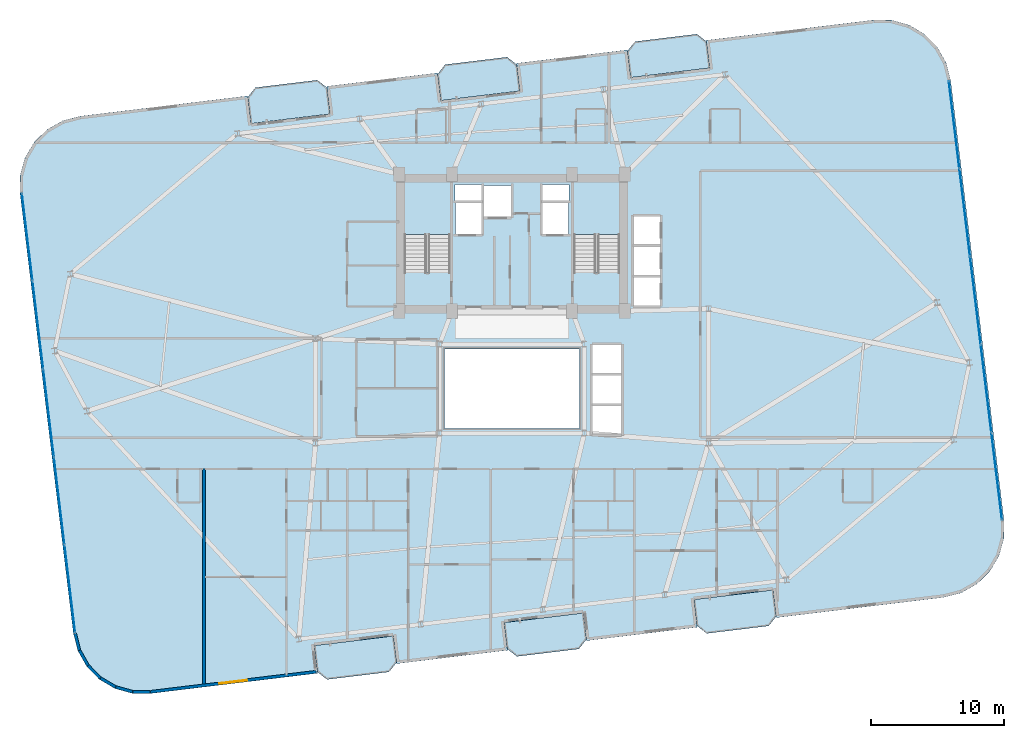
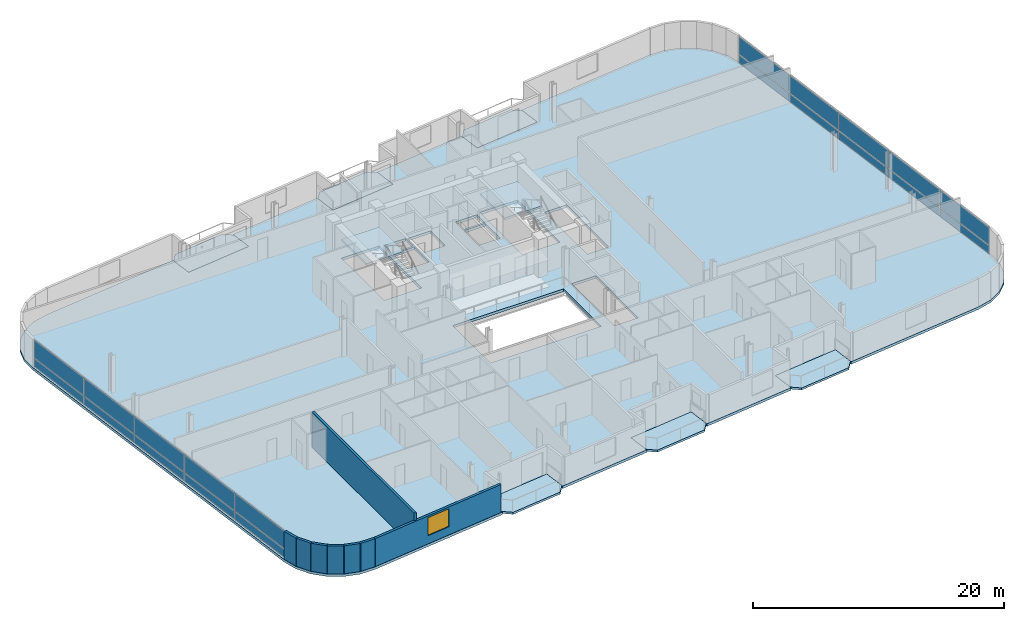
# One storey, part 13 of 23: 20 plates, 9 slabs, 8 walls, 1 window, 1 opening, 4 elements without a shape of their own.
"""IFC4 building model written with IfcOpenShell, lengths in metres."""

from ifc_helpers import new_model, si_unit, direction, frame, frame_2d, origin, origin_2d, place, context, subcontext, project, spatial, polyline, rectangle, outline, extrude, source, transform, mapped, material, layer, layer_set, type_object, element, fill, aggregate, save


model = new_model("IFC4")

# Units and contexts
model_context = context("Model", 3, precision=1e-05, world=origin(), true_north=direction((0.0, 1.0)))
body_context = subcontext(model_context, "Body", "Model", "MODEL_VIEW")
ifc_project = project(units=[si_unit("LENGTHUNIT", "METRE"), si_unit("AREAUNIT", "SQUARE_METRE"), si_unit("VOLUMEUNIT", "CUBIC_METRE"), si_unit("PLANEANGLEUNIT", "RADIAN"), si_unit("MASSUNIT", "GRAM", prefix="KILO")], contexts=[model_context])

# Site, building, storey
site_placement = place(None, origin())
site = spatial("IfcSite", under=ifc_project, at=site_placement, CompositionType="ELEMENT")
building_placement = place(site_placement, origin())
building = spatial("IfcBuilding", under=site, at=building_placement, Name="Varnelok Gate Tower", CompositionType="ELEMENT")
storey_placement = place(building_placement, frame((0.0, 0.0, 174.60009765625)))
storey = spatial("IfcBuildingStorey", under=building, at=storey_placement, Name="L44", CompositionType="ELEMENT", Elevation=174.60009765625)

# Slabs
ifc_material_1 = material(Name="Concrete C45/55", Category="concrete")
ifc_layer_1 = layer(ifc_material_1, 0.199951171875)
ifc_layer_set_1 = layer_set([ifc_layer_1], Name="Concrete C45/55")
slab_type_1 = type_object("IfcSlabType", Name="SLB-BALC-200", PredefinedType="FLOOR", material=ifc_layer_set_1)
slab_1_placement = place(storey_placement, frame((0.0, 0.0, -0.2001953125)))
element("IfcSlab", 1, at=slab_1_placement, inside=storey, type_object=slab_type_1, Name="L44 South Hollow Balcony 1", PredefinedType="FLOOR", context=body_context, shape_type="SweptSolid", body=[
    extrude(outline(polyline([(24.550048828125, 1.564453125), (25.2734375, 0.997314453125), (29.939208984375, 1.56298828125), (30.50634765625, 2.28662109375), (30.265625, 4.27197265625), (24.309326171875, 3.5498046875), (24.550048828125, 1.564453125)])), origin(), (0.0, 0.0, 1.0), 0.2001953125),
])
slab_2_placement = place(storey_placement, frame((0.0, 0.0, -0.2001953125)))
element("IfcSlab", 2, at=slab_2_placement, inside=storey, type_object=slab_type_1, Name="L44 South Hollow Balcony 2", PredefinedType="FLOOR", context=body_context, shape_type="SweptSolid", body=[
    extrude(outline(polyline([(38.84521484375, 3.29736328125), (39.56884765625, 2.73046875), (44.234619140625, 3.2958984375), (44.8017578125, 4.01953125), (44.56103515625, 6.0048828125), (38.6044921875, 5.282958984375), (38.84521484375, 3.29736328125)])), origin(), (0.0, 0.0, 1.0), 0.2001953125),
])
slab_3_placement = place(storey_placement, frame((0.0, 0.0, -0.2001953125)))
element("IfcSlab", 3, at=slab_3_placement, inside=storey, type_object=slab_type_1, Name="L44 South Hollow Balcony 3", PredefinedType="FLOOR", context=body_context, shape_type="SweptSolid", body=[
    extrude(outline(polyline([(53.140625, 5.030517578125), (53.8642578125, 4.46337890625), (58.530029296875, 5.02880859375), (59.09716796875, 5.75244140625), (58.8564453125, 7.73779296875), (52.89990234375, 7.015869140625), (53.140625, 5.030517578125)])), origin(), (0.0, 0.0, 1.0), 0.2001953125),
])
slab_4_placement = place(storey_placement, frame((0.0, 0.0, -0.2001953125)))
element("IfcSlab", 4, at=slab_4_placement, inside=storey, type_object=slab_type_1, Name="L44 North Hollow Balcony 1", PredefinedType="FLOOR", context=body_context, shape_type="SweptSolid", body=[
    extrude(outline(polyline([(19.543701171875, 42.862060546875), (25.5, 43.584228515625), (25.25927734375, 45.569580078125), (24.535888671875, 46.13671875), (19.8701171875, 45.571044921875), (19.302978515625, 44.84765625), (19.543701171875, 42.862060546875)])), origin(), (0.0, 0.0, 1.0), 0.2001953125),
])
slab_5_placement = place(storey_placement, frame((0.0, 0.0, -0.2001953125)))
element("IfcSlab", 5, at=slab_5_placement, inside=storey, type_object=slab_type_1, Name="L44 North Hollow Balcony 2", PredefinedType="FLOOR", context=body_context, shape_type="SweptSolid", body=[
    extrude(outline(polyline([(33.839111328125, 44.59521484375), (39.79541015625, 45.317138671875), (39.5546875, 47.302490234375), (38.831298828125, 47.86962890625), (34.165283203125, 47.303955078125), (33.598388671875, 46.58056640625), (33.839111328125, 44.59521484375)])), origin(), (0.0, 0.0, 1.0), 0.2001953125),
])
slab_6_placement = place(storey_placement, frame((0.0, 0.0, -0.2001953125)))
element("IfcSlab", 6, at=slab_6_placement, inside=storey, type_object=slab_type_1, Name="L44 North Hollow Balcony 3", PredefinedType="FLOOR", context=body_context, shape_type="SweptSolid", body=[
    extrude(outline(polyline([(48.13427734375, 46.327880859375), (54.0908203125, 47.050048828125), (53.85009765625, 49.03564453125), (53.12646484375, 49.6025390625), (48.460693359375, 49.037109375), (47.8935546875, 48.3134765625), (48.13427734375, 46.327880859375)])), origin(), (0.0, 0.0, 1.0), 0.2001953125),
])

# Stair, slab
ifc_material_2 = material(Name="Concrete C50/60", Category="concrete")
stair_type = type_object("IfcStairType", Name="STR-CORE-1650", PredefinedType="HALF_TURN_STAIR", material=ifc_material_2)
stair_1_placement = place(storey_placement, origin())
stair_1 = element("IfcStair", 7, at=stair_1_placement, inside=storey, type_object=stair_type, Name="L44 Exit Stair ST-1", PredefinedType="HALF_TURN_STAIR")
ifc_layer_2 = layer(ifc_material_1, 0.199951171875)
ifc_layer_set_2 = layer_set([ifc_layer_2], Name="Concrete C45/55")
slab_type_2 = type_object("IfcSlabType", Name="SLB-LAND-200", PredefinedType="LANDING", material=ifc_layer_set_2)
slab_7_placement = place(storey_placement, frame((0.0, 0.0, 1.64990234375)))
slab_7 = element("IfcSlab", 8, at=slab_7_placement, type_object=slab_type_2, Name="ST-1 landing 1", PredefinedType="LANDING", context=body_context, shape_type="SweptSolid", body=[
    extrude(outline(polyline([(34.550048828125, 34.5), (34.550048828125, 38.449951171875), (31.10009765625, 38.449951171875), (31.10009765625, 34.5), (34.550048828125, 34.5)])), origin(), (0.0, 0.0, 1.0), 0.199951171875),
])
aggregate(stair_1, [slab_7])

stair_2_placement = place(storey_placement, origin())
stair_2 = element("IfcStair", 9, at=stair_2_placement, inside=storey, type_object=stair_type, Name="L44 Exit Stair ST-2", PredefinedType="HALF_TURN_STAIR")
slab_8_placement = place(storey_placement, frame((0.0, 0.0, 1.64990234375)))
slab_8 = element("IfcSlab", 10, at=slab_8_placement, type_object=slab_type_2, Name="ST-2 landing 1", PredefinedType="LANDING", context=body_context, shape_type="SweptSolid", body=[
    extrude(outline(polyline([(47.300048828125, 34.5), (47.300048828125, 38.449951171875), (43.85009765625, 38.449951171875), (43.85009765625, 34.5), (47.300048828125, 34.5)])), origin(), (0.0, 0.0, 1.0), 0.199951171875),
])
aggregate(stair_2, [slab_8])

# Slab
ifc_layer_3 = layer(ifc_material_2, 0.25)
ifc_layer_set_3 = layer_set([ifc_layer_3], Name="Concrete C50/60")
slab_type_3 = type_object("IfcSlabType", Name="SLB-TYP-250", PredefinedType="FLOOR", material=ifc_layer_set_3)
slab_9_placement = place(storey_placement, frame((0.0, 0.0, -0.25)))
element("IfcSlab", 11, at=slab_9_placement, inside=storey, type_object=slab_type_3, Name="L44 Structural Floor Slab", PredefinedType="FLOOR", context=body_context, shape_type="SweptSolid", body=[
    extrude(outline(polyline([(6.166259765625, 4.47314453125), (6.504150390625, 3.158447265625), (7.1708984375, 1.975830078125), (8.120849609375, 1.006103515625), (9.289306640625, 0.3154296875), (10.596923828125, -0.04931640625), (11.954345703125, -0.063232421875), (22.87451171875, 1.260498046875), (24.56201171875, 1.465087890625), (24.309326171875, 3.5498046875), (30.265625, 4.27197265625), (30.518310546875, 2.187255859375), (38.857421875, 3.197998046875), (38.6044921875, 5.282958984375), (44.56103515625, 6.0048828125), (44.813720703125, 3.920166015625), (53.152587890625, 4.93115234375), (52.89990234375, 7.015869140625), (58.8564453125, 7.73779296875), (59.109130859375, 5.6533203125), (60.796630859375, 5.85791015625), (71.716796875, 7.181396484375), (73.031494140625, 7.519287109375), (74.214111328125, 8.18603515625), (75.183837890625, 9.135986328125), (75.87451171875, 10.3046875), (76.2392578125, 11.612060546875), (76.253173828125, 12.969482421875), (72.233642578125, 46.126708984375), (71.895751953125, 47.441650390625), (71.229248046875, 48.6240234375), (70.279296875, 49.59375), (69.110595703125, 50.284423828125), (67.802978515625, 50.6494140625), (66.44580078125, 50.6630859375), (55.525634765625, 49.33935546875), (53.837890625, 49.134765625), (54.0908203125, 47.050048828125), (48.13427734375, 46.327880859375), (47.881591796875, 48.412841796875), (39.54248046875, 47.40185546875), (39.79541015625, 45.317138671875), (33.839111328125, 44.59521484375), (33.586181640625, 46.6796875), (25.247314453125, 45.6689453125), (25.5, 43.584228515625), (19.543701171875, 42.862060546875), (19.291015625, 44.94677734375), (17.603271484375, 44.7421875), (6.68310546875, 43.41845703125), (5.368408203125, 43.08056640625), (4.18603515625, 42.413818359375), (3.21630859375, 41.464111328125), (2.525390625, 40.29541015625), (2.16064453125, 38.98779296875), (2.146728515625, 37.630615234375), (6.166259765625, 4.47314453125)]), holes=[polyline([(34.550048828125, 31.679931640625), (34.550048828125, 38.449951171875), (31.10009765625, 38.449951171875), (31.10009765625, 31.679931640625), (34.550048828125, 31.679931640625)]), polyline([(47.300048828125, 31.679931640625), (47.300048828125, 38.449951171875), (43.85009765625, 38.449951171875), (43.85009765625, 31.679931640625), (47.300048828125, 31.679931640625)]), polyline([(34.949951171875, 34.550048828125), (36.89990234375, 34.550048828125), (36.89990234375, 36.89990234375), (34.949951171875, 36.89990234375), (34.949951171875, 34.550048828125)]), polyline([(41.5, 34.550048828125), (43.449951171875, 34.550048828125), (43.449951171875, 36.89990234375), (41.5, 36.89990234375), (41.5, 34.550048828125)]), polyline([(37.050048828125, 35.85009765625), (39.14990234375, 35.85009765625), (39.14990234375, 38.199951171875), (37.050048828125, 38.199951171875), (37.050048828125, 35.85009765625)]), polyline([(48.35009765625, 29.14990234375), (50.35009765625, 29.14990234375), (50.35009765625, 35.89990234375), (48.35009765625, 35.89990234375), (48.35009765625, 29.14990234375)]), polyline([(45.25, 19.449951171875), (47.449951171875, 19.449951171875), (47.449951171875, 26.199951171875), (45.25, 26.199951171875), (45.25, 19.449951171875)]), polyline([(34.919921875, 37.080078125), (36.89990234375, 37.080078125), (36.89990234375, 38.280029296875), (34.919921875, 38.280029296875), (34.919921875, 37.080078125)]), polyline([(41.5, 37.080078125), (43.47998046875, 37.080078125), (43.47998046875, 38.280029296875), (41.5, 38.280029296875), (41.5, 37.080078125)]), polyline([(34.10009765625, 19.89990234375), (44.300048828125, 19.89990234375), (44.300048828125, 25.89990234375), (34.10009765625, 25.89990234375), (34.10009765625, 19.89990234375)])]), origin(), (0.0, 0.0, 1.0), 0.25),
])

# Curtain wall, plates
ifc_material_3 = material(Name="Anodized Aluminum Alloy 6063-T6", Category="aluminium")
ifc_layer_4 = layer(ifc_material_3, 0.179931640625)
ifc_layer_set_4 = layer_set([ifc_layer_4], Name="Anodized Aluminum Alloy 6063-T6")
curtain_wall_type = type_object("IfcCurtainWallType", Name="CW4-RESIDENCE-VISION", PredefinedType="USERDEFINED", material=ifc_layer_set_4)
curtain_wall_1_placement = place(storey_placement, origin())
curtain_wall_1 = element("IfcCurtainWall", 12, at=curtain_wall_1_placement, inside=storey, type_object=curtain_wall_type, Name="L44 West End Vision Curtain Wall", ObjectType="UNITISED CURTAIN WALL", PredefinedType="USERDEFINED")
ifc_material_4 = material(Name="Low-E Laminated Double Glazing IGU", Category="glass")
ifc_layer_5 = layer(ifc_material_4, 0.035888671875)
ifc_layer_set_5 = layer_set([ifc_layer_5], Name="Low-E Laminated Double Glazing IGU")
plate_type = type_object("IfcPlateType", Name="CW-PNL-IGU36", PredefinedType="CURTAIN_PANEL", material=ifc_layer_set_5)
shared_shape_1 = source(origin(), body_context, "Body", "SweptSolid", [
    extrude(rectangle(XDim=6.5673828125, YDim=0.035888671875, at=origin_2d()), origin(), (0.0, 0.0, 1.0), 0.78759765625),
])
plate_1_placement = place(storey_placement, frame((5.901123046875, 7.824462890625, 0.074951171875), z_axis=(0.0, 0.0, 1.0), x_axis=(-0.120344511371, 0.992732188751, 0.0)))
plate_1 = element("IfcPlate", 13, at=plate_1_placement, type_object=plate_type, Name="CW4 panel 1.1", PredefinedType="CURTAIN_PANEL", context=body_context, shape_type="MappedRepresentation", body=[
    mapped(shared_shape_1, transform((0.0, 0.0, 0.0), scale=1.0)),
])
plate_2_placement = place(storey_placement, frame((2.68994140625, 34.31298828125, 0.074951171875), z_axis=(0.0, 0.0, 1.0), x_axis=(-0.120344511371, 0.992732188751, 0.0)))
plate_2 = element("IfcPlate", 14, at=plate_2_placement, type_object=plate_type, Name="CW4 panel 5.1", PredefinedType="CURTAIN_PANEL", context=body_context, shape_type="MappedRepresentation", body=[
    mapped(shared_shape_1, transform((0.0, 0.0, 0.0), scale=1.0)),
])

curtain_wall_2_placement = place(storey_placement, origin())
curtain_wall_2 = element("IfcCurtainWall", 15, at=curtain_wall_2_placement, inside=storey, type_object=curtain_wall_type, Name="L44 East End Vision Curtain Wall", ObjectType="UNITISED CURTAIN WALL", PredefinedType="USERDEFINED")
plate_3_placement = place(storey_placement, frame((72.4990234375, 42.775634765625, 0.074951171875), z_axis=(0.0, 0.0, 1.0), x_axis=(0.120344511371, -0.992732188751, 0.0)))
plate_3 = element("IfcPlate", 16, at=plate_3_placement, type_object=plate_type, Name="CW4 panel 1.1", PredefinedType="CURTAIN_PANEL", context=body_context, shape_type="MappedRepresentation", body=[
    mapped(shared_shape_1, transform((0.0, 0.0, 0.0), scale=1.0)),
])
plate_4_placement = place(storey_placement, frame((75.7099609375, 16.287109375, 0.074951171875), z_axis=(0.0, 0.0, 1.0), x_axis=(0.120344511371, -0.992732188751, 0.0)))
plate_4 = element("IfcPlate", 17, at=plate_4_placement, type_object=plate_type, Name="CW4 panel 5.1", PredefinedType="CURTAIN_PANEL", context=body_context, shape_type="MappedRepresentation", body=[
    mapped(shared_shape_1, transform((0.0, 0.0, 0.0), scale=1.0)),
])

# Plate
shared_shape_2 = source(origin(), body_context, "Body", "SweptSolid", [
    extrude(rectangle(XDim=6.5673828125, YDim=0.035888671875, at=origin_2d()), origin(), (0.0, 0.0, 1.0), 1.717529296875),
])
plate_5_placement = place(storey_placement, frame((5.901123046875, 7.824462890625, 0.9375), z_axis=(0.0, 0.0, 1.0), x_axis=(-0.120344511371, 0.992732188751, 0.0)))
plate_5 = element("IfcPlate", 18, at=plate_5_placement, type_object=plate_type, Name="CW4 panel 1.2", PredefinedType="CURTAIN_PANEL", context=body_context, shape_type="MappedRepresentation", body=[
    mapped(shared_shape_2, transform((0.0, 0.0, 0.0), scale=1.0)),
])

plate_6_placement = place(storey_placement, frame((2.68994140625, 34.31298828125, 0.9375), z_axis=(0.0, 0.0, 1.0), x_axis=(-0.120344511371, 0.992732188751, 0.0)))
plate_6 = element("IfcPlate", 19, at=plate_6_placement, type_object=plate_type, Name="CW4 panel 5.2", PredefinedType="CURTAIN_PANEL", context=body_context, shape_type="MappedRepresentation", body=[
    mapped(shared_shape_2, transform((0.0, 0.0, 0.0), scale=1.0)),
])

plate_7_placement = place(storey_placement, frame((72.4990234375, 42.775634765625, 0.9375), z_axis=(0.0, 0.0, 1.0), x_axis=(0.120344511371, -0.992732188751, 0.0)))
plate_7 = element("IfcPlate", 20, at=plate_7_placement, type_object=plate_type, Name="CW4 panel 1.2", PredefinedType="CURTAIN_PANEL", context=body_context, shape_type="MappedRepresentation", body=[
    mapped(shared_shape_2, transform((0.0, 0.0, 0.0), scale=1.0)),
])

plate_8_placement = place(storey_placement, frame((75.7099609375, 16.287109375, 0.9375), z_axis=(0.0, 0.0, 1.0), x_axis=(0.120344511371, -0.992732188751, 0.0)))
plate_8 = element("IfcPlate", 21, at=plate_8_placement, type_object=plate_type, Name="CW4 panel 5.2", PredefinedType="CURTAIN_PANEL", context=body_context, shape_type="MappedRepresentation", body=[
    mapped(shared_shape_2, transform((0.0, 0.0, 0.0), scale=1.0)),
])

shared_shape_3 = source(origin(), body_context, "Body", "SweptSolid", [
    extrude(rectangle(XDim=6.60498046875, YDim=0.035888671875, at=origin_2d()), origin(), (0.0, 0.0, 1.0), 0.78759765625),
])
plate_9_placement = place(storey_placement, frame((5.099365234375, 14.437255859375, 0.074951171875), z_axis=(0.0, 0.0, 1.0), x_axis=(-0.120344511371, 0.992732188751, 0.0)))
plate_9 = element("IfcPlate", 22, at=plate_9_placement, type_object=plate_type, Name="CW4 panel 2.1", PredefinedType="CURTAIN_PANEL", context=body_context, shape_type="MappedRepresentation", body=[
    mapped(shared_shape_3, transform((0.0, 0.0, 0.0), scale=1.0)),
])

plate_10_placement = place(storey_placement, frame((4.295654296875, 21.068603515625, 0.074951171875), z_axis=(0.0, 0.0, 1.0), x_axis=(-0.120344511371, 0.992732188751, 0.0)))
plate_10 = element("IfcPlate", 23, at=plate_10_placement, type_object=plate_type, Name="CW4 panel 3.1", PredefinedType="CURTAIN_PANEL", context=body_context, shape_type="MappedRepresentation", body=[
    mapped(shared_shape_3, transform((0.0, 0.0, 0.0), scale=1.0)),
])

plate_11_placement = place(storey_placement, frame((3.49169921875, 27.7001953125, 0.074951171875), z_axis=(0.0, 0.0, 1.0), x_axis=(-0.120344511371, 0.992732188751, 0.0)))
plate_11 = element("IfcPlate", 24, at=plate_11_placement, type_object=plate_type, Name="CW4 panel 4.1", PredefinedType="CURTAIN_PANEL", context=body_context, shape_type="MappedRepresentation", body=[
    mapped(shared_shape_3, transform((0.0, 0.0, 0.0), scale=1.0)),
])

plate_12_placement = place(storey_placement, frame((73.300537109375, 36.162841796875, 0.074951171875), z_axis=(0.0, 0.0, 1.0), x_axis=(0.120344511371, -0.992732188751, 0.0)))
plate_12 = element("IfcPlate", 25, at=plate_12_placement, type_object=plate_type, Name="CW4 panel 2.1", PredefinedType="CURTAIN_PANEL", context=body_context, shape_type="MappedRepresentation", body=[
    mapped(shared_shape_3, transform((0.0, 0.0, 0.0), scale=1.0)),
])

plate_13_placement = place(storey_placement, frame((74.1044921875, 29.53125, 0.074951171875), z_axis=(0.0, 0.0, 1.0), x_axis=(0.120344511371, -0.992732188751, 0.0)))
plate_13 = element("IfcPlate", 26, at=plate_13_placement, type_object=plate_type, Name="CW4 panel 3.1", PredefinedType="CURTAIN_PANEL", context=body_context, shape_type="MappedRepresentation", body=[
    mapped(shared_shape_3, transform((0.0, 0.0, 0.0), scale=1.0)),
])

plate_14_placement = place(storey_placement, frame((74.908447265625, 22.89990234375, 0.074951171875), z_axis=(0.0, 0.0, 1.0), x_axis=(0.120344511371, -0.992732188751, 0.0)))
plate_14 = element("IfcPlate", 27, at=plate_14_placement, type_object=plate_type, Name="CW4 panel 4.1", PredefinedType="CURTAIN_PANEL", context=body_context, shape_type="MappedRepresentation", body=[
    mapped(shared_shape_3, transform((0.0, 0.0, 0.0), scale=1.0)),
])

shared_shape_4 = source(origin(), body_context, "Body", "SweptSolid", [
    extrude(rectangle(XDim=6.60498046875, YDim=0.035888671875, at=origin_2d()), origin(), (0.0, 0.0, 1.0), 1.717529296875),
])
plate_15_placement = place(storey_placement, frame((5.099365234375, 14.437255859375, 0.9375), z_axis=(0.0, 0.0, 1.0), x_axis=(-0.120344511371, 0.992732188751, 0.0)))
plate_15 = element("IfcPlate", 28, at=plate_15_placement, type_object=plate_type, Name="CW4 panel 2.2", PredefinedType="CURTAIN_PANEL", context=body_context, shape_type="MappedRepresentation", body=[
    mapped(shared_shape_4, transform((0.0, 0.0, 0.0), scale=1.0)),
])

plate_16_placement = place(storey_placement, frame((4.295654296875, 21.068603515625, 0.9375), z_axis=(0.0, 0.0, 1.0), x_axis=(-0.120344511371, 0.992732188751, 0.0)))
plate_16 = element("IfcPlate", 29, at=plate_16_placement, type_object=plate_type, Name="CW4 panel 3.2", PredefinedType="CURTAIN_PANEL", context=body_context, shape_type="MappedRepresentation", body=[
    mapped(shared_shape_4, transform((0.0, 0.0, 0.0), scale=1.0)),
])

plate_17_placement = place(storey_placement, frame((3.49169921875, 27.7001953125, 0.9375), z_axis=(0.0, 0.0, 1.0), x_axis=(-0.120344511371, 0.992732188751, 0.0)))
plate_17 = element("IfcPlate", 30, at=plate_17_placement, type_object=plate_type, Name="CW4 panel 4.2", PredefinedType="CURTAIN_PANEL", context=body_context, shape_type="MappedRepresentation", body=[
    mapped(shared_shape_4, transform((0.0, 0.0, 0.0), scale=1.0)),
])

aggregate(curtain_wall_1, [plate_1, plate_5, plate_9, plate_15, plate_10, plate_16, plate_11, plate_17, plate_2, plate_6])

plate_18_placement = place(storey_placement, frame((73.300537109375, 36.162841796875, 0.9375), z_axis=(0.0, 0.0, 1.0), x_axis=(0.120344511371, -0.992732188751, 0.0)))
plate_18 = element("IfcPlate", 31, at=plate_18_placement, type_object=plate_type, Name="CW4 panel 2.2", PredefinedType="CURTAIN_PANEL", context=body_context, shape_type="MappedRepresentation", body=[
    mapped(shared_shape_4, transform((0.0, 0.0, 0.0), scale=1.0)),
])

plate_19_placement = place(storey_placement, frame((74.1044921875, 29.53125, 0.9375), z_axis=(0.0, 0.0, 1.0), x_axis=(0.120344511371, -0.992732188751, 0.0)))
plate_19 = element("IfcPlate", 32, at=plate_19_placement, type_object=plate_type, Name="CW4 panel 3.2", PredefinedType="CURTAIN_PANEL", context=body_context, shape_type="MappedRepresentation", body=[
    mapped(shared_shape_4, transform((0.0, 0.0, 0.0), scale=1.0)),
])

plate_20_placement = place(storey_placement, frame((74.908447265625, 22.89990234375, 0.9375), z_axis=(0.0, 0.0, 1.0), x_axis=(0.120344511371, -0.992732188751, 0.0)))
plate_20 = element("IfcPlate", 33, at=plate_20_placement, type_object=plate_type, Name="CW4 panel 4.2", PredefinedType="CURTAIN_PANEL", context=body_context, shape_type="MappedRepresentation", body=[
    mapped(shared_shape_4, transform((0.0, 0.0, 0.0), scale=1.0)),
])

aggregate(curtain_wall_2, [plate_3, plate_7, plate_12, plate_18, plate_13, plate_19, plate_14, plate_20, plate_4, plate_8])

# Walls
ifc_layer_6 = layer(ifc_material_1, 0.219970703125)
ifc_layer_set_6 = layer_set([ifc_layer_6], Name="Concrete C45/55")
wall_type_1 = type_object("IfcWallType", Name="EW-BALC-220", PredefinedType="SOLIDWALL", material=ifc_layer_set_6)
wall_1_placement = place(storey_placement, frame((6.286376953125, 4.48779296875, 0.0), z_axis=(0.0, 0.0, 1.0), x_axis=(0.248942347653, -0.968518305219, 0.0)))
element("IfcWall", 34, at=wall_1_placement, inside=storey, type_object=wall_type_1, Name="L44 Perimeter Facade Closure Wall 1", PredefinedType="SOLIDWALL", context=body_context, shape_type="SweptSolid", body=[
    extrude(rectangle(XDim=1.325927734375, YDim=0.219970703125, at=frame_2d((0.6630859375, 0.0))), origin(), (0.0, 0.0, 1.0), 2.72998046875),
])
for number, where, z_axis, x_axis, name in (
    (35, (6.62890625, 3.181884765625, 0.0), (0.0, 0.0, 1.0), (0.490956091431, -0.871184318205, 0.0), "L44 Perimeter Facade Closure Wall 2"),
    (36, (7.28515625, 2.03076171875, 0.0), (0.0, 0.0, 1.0), (0.699844331926, -0.714295394827, 0.0), "L44 Perimeter Facade Closure Wall 3"),
    (37, (8.217041015625, 1.088623046875, 0.0), (0.0, 0.0, 1.0), (0.860885425627, -0.508798863936, 0.0), "L44 Perimeter Facade Closure Wall 4"),
):
    element("IfcWall", number, at=place(storey_placement, frame(where, z_axis=z_axis, x_axis=x_axis)), inside=storey, type_object=wall_type_1, Name=name, PredefinedType="SOLIDWALL", context=body_context, shape_type="SweptSolid", body=[
        extrude(rectangle(XDim=1.30078125, YDim=0.219970703125, at=frame_2d((0.650390625, 0.0))), origin(), (0.0, 0.0, 1.0), 2.72998046875),
    ])
wall_2_placement = place(storey_placement, frame((9.36083984375, 0.420166015625, 0.0), z_axis=(0.0, 0.0, 1.0), x_axis=(0.963218895288, -0.268717992997, 0.0)))
element("IfcWall", 38, at=wall_2_placement, inside=storey, type_object=wall_type_1, Name="L44 Perimeter Facade Closure Wall 5", PredefinedType="SOLIDWALL", context=body_context, shape_type="SweptSolid", body=[
    extrude(rectangle(XDim=1.301025390625, YDim=0.219970703125, at=frame_2d((0.650390625, 0.0))), origin(), (0.0, 0.0, 1.0), 2.72998046875),
])
wall_3_placement = place(storey_placement, frame((10.638916015625, 0.0703125, 0.0), z_axis=(0.0, 0.0, 1.0), x_axis=(0.999947377741, -0.010258740119, 0.0)))
element("IfcWall", 39, at=wall_3_placement, inside=storey, type_object=wall_type_1, Name="L44 Perimeter Facade Closure Wall 6", PredefinedType="SOLIDWALL", context=body_context, shape_type="SweptSolid", body=[
    extrude(rectangle(XDim=1.308837890625, YDim=0.219970703125, at=frame_2d((0.654296875, 0.0))), origin(), (0.0, 0.0, 1.0), 2.72998046875),
])

# Wall, opening, window
wall_4_placement = place(storey_placement, frame((11.972412109375, 0.059814453125, 0.0), z_axis=(0.0, 0.0, 1.0), x_axis=(0.992732021049, 0.120345894751, 0.0)))
wall_4 = element("IfcWall", 40, at=wall_4_placement, inside=storey, type_object=wall_type_1, Name="L44 Perimeter Facade Closure Wall 7", PredefinedType="SOLIDWALL", context=body_context, shape_type="SweptSolid", body=[
    extrude(rectangle(XDim=12.54736328125, YDim=0.219970703125, at=frame_2d((6.273681640625, 0.0))), origin(), (0.0, 0.0, 1.0), 2.72998046875),
])
opening_placement = place(wall_4_placement, frame((5.2236328125, 0.0, 0.800048828125)))
opening = element("IfcOpeningElement", 41, at=opening_placement, cuts=wall_4, Name="Opening WN4", PredefinedType="OPENING", context=body_context, shape_type="SweptSolid", body=[
    extrude(rectangle(XDim=2.10009765625, YDim=1.75, at=frame_2d((1.050048828125, 0.875))), frame((0.0, 0.119873046875, 0.0), z_axis=(0.0, -1.0, 0.0), x_axis=(1.0, 0.0, 0.0)), (0.0, 0.0, 1.0), 0.239990234375),
])
window_type = type_object("IfcWindowType", Name="WN-SUI-2100", PartitioningType="SINGLE_PANEL", PredefinedType="WINDOW", material=ifc_material_4)
window_placement = place(opening_placement, origin())
window = element("IfcWindow", 42, at=window_placement, inside=storey, type_object=window_type, Name="L44 Perimeter Vision Window 7", OverallHeight=1.75, OverallWidth=2.10009765625, PartitioningType="SINGLE_PANEL", PredefinedType="WINDOW", context=body_context, shape_type="SweptSolid", body=[
    extrude(rectangle(XDim=2.10009765625, YDim=1.75, at=frame_2d((1.050048828125, 0.875))), frame((0.0, 0.030029296875, 0.0), z_axis=(0.0, -1.0, 0.0), x_axis=(1.0, 0.0, 0.0)), (0.0, 0.0, 1.0), 0.06005859375),
])
fill(opening, window)

# Wall
ifc_material_5 = material(Name="Gypsum Plasterboard Acoustic Partition", Category="gypsum")
ifc_layer_7 = layer(ifc_material_5, 0.205078125)
ifc_layer_set_7 = layer_set([ifc_layer_7], Name="Gypsum Plasterboard Acoustic Partition")
wall_type_2 = type_object("IfcWallType", Name="PW-PARTY-200", PredefinedType="PARTITIONING", material=ifc_layer_set_7)
wall_5_placement = place(storey_placement, frame((16.0, 0.568359375, 0.0), z_axis=(0.0, 0.0, 1.0), x_axis=(0.0, 1.0, 0.0)))
element("IfcWall", 43, at=wall_5_placement, inside=storey, type_object=wall_type_2, Name="L44 South Party Wall 1", PredefinedType="PARTITIONING", context=body_context, shape_type="SweptSolid", body=[
    extrude(rectangle(XDim=16.28173828125, YDim=0.205078125, at=frame_2d((8.140869140625, 0.0))), origin(), (0.0, 0.0, 1.0), 3.449951171875),
])

save(model, "model.ifc")
